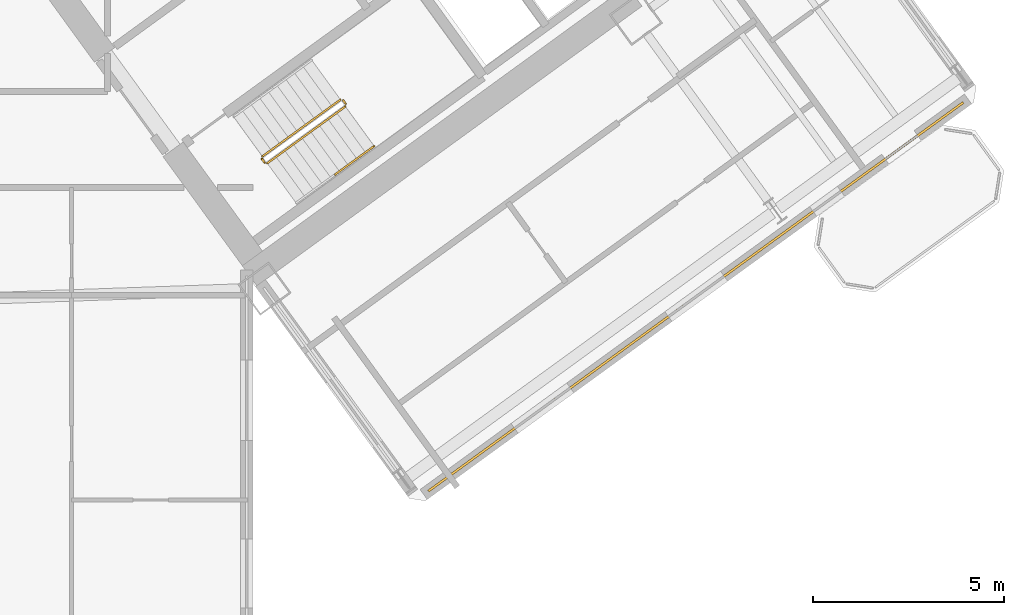
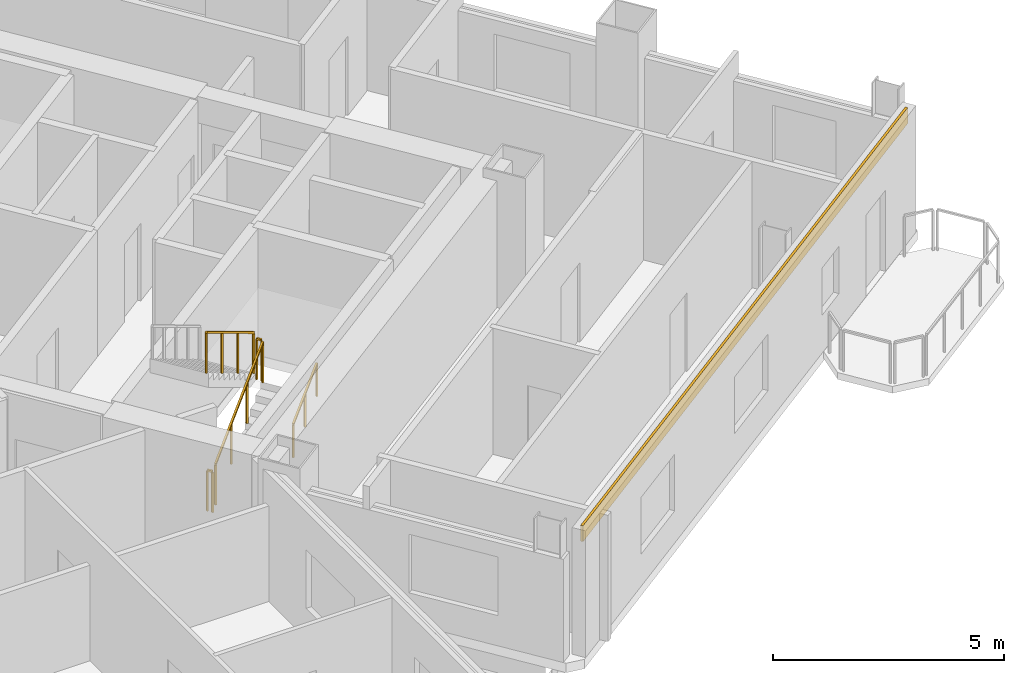
# One storey, part 26 of 28: 5 railings, 1 covering.
"""IFC4 building model written with IfcOpenShell, lengths in metres."""

from ifc_helpers import new_model, si_unit, direction, frame, origin, origin_2d, place, context, subcontext, project, spatial, rectangle, extrude, source, transform, mapped, material, layer, layer_set, type_object, element, save


model = new_model("IFC4")

# Units and contexts
model_context = context("Model", 3, precision=1e-05, world=origin(), true_north=direction((0.0, 1.0)))
body_context = subcontext(model_context, "Body", "Model", "MODEL_VIEW")
ifc_project = project(units=[si_unit("LENGTHUNIT", "METRE"), si_unit("AREAUNIT", "SQUARE_METRE"), si_unit("VOLUMEUNIT", "CUBIC_METRE"), si_unit("PLANEANGLEUNIT", "RADIAN"), si_unit("MASSUNIT", "GRAM", prefix="KILO")], contexts=[model_context])

# Site, building, storey
site_placement = place(None, origin())
site = spatial("IfcSite", under=ifc_project, at=site_placement, CompositionType="ELEMENT")
building_placement = place(site_placement, origin())
building = spatial("IfcBuilding", under=site, at=building_placement, Name="Tlacorven Tower", CompositionType="ELEMENT")
storey_placement = place(building_placement, frame((0.0, 0.0, 27.60009765625)))
storey = spatial("IfcBuildingStorey", under=building, at=storey_placement, Name="L06", CompositionType="ELEMENT", Elevation=27.60009765625)

# Covering
ifc_material_1 = material(Name="Precast concrete C45/55", Category="concrete")
ifc_layer = layer(ifc_material_1, 0.06005859375)
ifc_layer_set = layer_set([ifc_layer], Name="Precast concrete C45/55")
covering_type = type_object("IfcCoveringType", Name="CV-CLD-TERC", PredefinedType="CLADDING", material=ifc_layer_set)
shared_shape_1 = source(origin(), body_context, "Body", "SweptSolid", [
    extrude(rectangle(XDim=17.287353515625, YDim=0.06005859375, at=origin_2d()), origin(), (0.0, 0.0, 1.0), 0.419921875),
])
covering_placement = place(storey_placement, frame((63.9833984375, 12.562255859375, 2.929931640625), z_axis=(0.0, 0.0, 1.0), x_axis=(-0.809017097486, -0.587785110372, 0.0)))
element("IfcCovering", 1, at=covering_placement, inside=storey, type_object=covering_type, Name="L06 Masonry-Frame Spandrel Cladding 6", PredefinedType="CLADDING", context=body_context, shape_type="MappedRepresentation", body=[
    mapped(shared_shape_1, transform((0.0, 0.0, 0.0), scale=1.0)),
])

# Railings
ifc_material_2 = material(Name="Aluminium and painted steel balustrade", Category="steel")
railing_type_1 = type_object("IfcRailingType", Name="RL-GRD-1100", PredefinedType="GUARDRAIL", material=ifc_material_2)
shared_shape_2 = source(origin(), body_context, "Body", "SweptSolid", [
    extrude(rectangle(XDim=0.048095703125, YDim=0.048095703125, at=origin_2d()), frame((0.0, 0.0, 1.076171875), z_axis=(-0.587567097037, 0.809175448515, 0.0), x_axis=(-0.809175448515, -0.587567097037, 0.0)), (0.0, 0.0, 1.0), 0.1201171875),
    extrude(rectangle(XDim=0.0419921875, YDim=0.0419921875, at=origin_2d()), origin(), (0.0, 0.0, 1.0), 1.052001953125),
    extrude(rectangle(XDim=0.0419921875, YDim=0.0419921875, at=origin_2d()), frame((-0.070556640625, 0.09716796875, 0.0)), (0.0, 0.0, 1.0), 1.052001953125),
])
for number, where, name in (
    (2, (54.8310546875, 17.605712890625, 1.7998046875), "L06 ST-E2 stair guard 2"),
    (3, (52.71142578125, 16.065673828125, 0.0), "L06 ST-E2 stair guard 4"),
):
    element("IfcRailing", number, at=place(storey_placement, frame(where)), inside=storey, type_object=railing_type_1, Name=name, PredefinedType="GUARDRAIL", context=body_context, shape_type="MappedRepresentation", body=[
        mapped(shared_shape_2, transform((0.0, 0.0, 0.0), scale=1.0)),
    ])
railing_type_2 = type_object("IfcRailingType", Name="RL-HND-0900", PredefinedType="HANDRAIL", material=ifc_material_2)
shared_shape_3 = source(origin(), body_context, "Body", "SweptSolid", [
    extrude(rectangle(XDim=0.048095703125, YDim=0.048095703125, at=origin_2d()), frame((0.0, 0.0, 0.8759765625), z_axis=(0.680576044605, 0.494416082224, 0.54071155448), x_axis=(-0.587745292299, 0.809046025502, 0.0)), (0.0, 0.0, 1.0), 1.497802734375),
    extrude(rectangle(XDim=0.0419921875, YDim=0.0419921875, at=origin_2d()), origin(), (0.0, 0.0, 1.0), 0.851806640625),
    extrude(rectangle(XDim=0.0419921875, YDim=0.0419921875, at=origin_2d()), frame((0.509765625, 0.3701171875, 0.40478515625)), (0.0, 0.0, 1.0), 0.851806640625),
    extrude(rectangle(XDim=0.0419921875, YDim=0.0419921875, at=origin_2d()), frame((1.019287109375, 0.740478515625, 0.809814453125)), (0.0, 0.0, 1.0), 0.851806640625),
])
railing_1_placement = place(storey_placement, frame((54.552978515625, 15.759765625, 0.989990234375)))
element("IfcRailing", 4, at=railing_1_placement, inside=storey, type_object=railing_type_2, Name="L06 ST-E2 stair handrail 2", PredefinedType="HANDRAIL", context=body_context, shape_type="MappedRepresentation", body=[
    mapped(shared_shape_3, transform((0.0, 0.0, 0.0), scale=1.0)),
])
shared_shape_4 = source(origin(), body_context, "Body", "SweptSolid", [
    extrude(rectangle(XDim=0.048095703125, YDim=0.048095703125, at=origin_2d()), frame((0.0, 0.0, 1.076171875), z_axis=(0.680562380517, 0.494428447203, 0.540717446381), x_axis=(-0.587762637553, 0.809033424462, 0.0)), (0.0, 0.0, 1.0), 2.995849609375),
    extrude(rectangle(XDim=0.0419921875, YDim=0.0419921875, at=origin_2d()), origin(), (0.0, 0.0, 1.0), 1.052001953125),
    extrude(rectangle(XDim=0.0419921875, YDim=0.0419921875, at=origin_2d()), frame((0.6796875, 0.49365234375, 0.5400390625)), (0.0, 0.0, 1.0), 1.052001953125),
    extrude(rectangle(XDim=0.0419921875, YDim=0.0419921875, at=origin_2d()), frame((1.359130859375, 0.987548828125, 1.079833984375)), (0.0, 0.0, 1.0), 1.052001953125),
    extrude(rectangle(XDim=0.0419921875, YDim=0.0419921875, at=origin_2d()), frame((2.038818359375, 1.481201171875, 1.619873046875)), (0.0, 0.0, 1.0), 1.052001953125),
])
railing_2_placement = place(storey_placement, frame((52.78125, 16.0546875, 0.179931640625)))
element("IfcRailing", 5, at=railing_2_placement, inside=storey, type_object=railing_type_1, Name="L06 ST-E2 stair guard 1", PredefinedType="GUARDRAIL", context=body_context, shape_type="MappedRepresentation", body=[
    mapped(shared_shape_4, transform((0.0, 0.0, 0.0), scale=1.0)),
])
shared_shape_5 = source(origin(), body_context, "Body", "SweptSolid", [
    extrude(rectangle(XDim=0.048095703125, YDim=0.048095703125, at=origin_2d()), frame((0.0, 0.0, 1.076171875), z_axis=(-0.680562380517, -0.494428447203, 0.540717446381), x_axis=(0.587762637553, -0.809033424462, 0.0)), (0.0, 0.0, 1.0), 2.995849609375),
    extrude(rectangle(XDim=0.0419921875, YDim=0.0419921875, at=origin_2d()), origin(), (0.0, 0.0, 1.0), 1.052001953125),
    extrude(rectangle(XDim=0.0419921875, YDim=0.0419921875, at=origin_2d()), frame((-0.6796875, -0.49365234375, 0.5400390625)), (0.0, 0.0, 1.0), 1.052001953125),
    extrude(rectangle(XDim=0.0419921875, YDim=0.0419921875, at=origin_2d()), frame((-1.359130859375, -0.987548828125, 1.079833984375)), (0.0, 0.0, 1.0), 1.052001953125),
    extrude(rectangle(XDim=0.0419921875, YDim=0.0419921875, at=origin_2d()), frame((-2.038818359375, -1.481201171875, 1.619873046875)), (0.0, 0.0, 1.0), 1.052001953125),
])
railing_3_placement = place(storey_placement, frame((54.690673828125, 17.7138671875, 1.97998046875)))
element("IfcRailing", 6, at=railing_3_placement, inside=storey, type_object=railing_type_1, Name="L06 ST-E2 stair guard 3", PredefinedType="GUARDRAIL", context=body_context, shape_type="MappedRepresentation", body=[
    mapped(shared_shape_5, transform((0.0, 0.0, 0.0), scale=1.0)),
])

save(model, "model.ifc")
